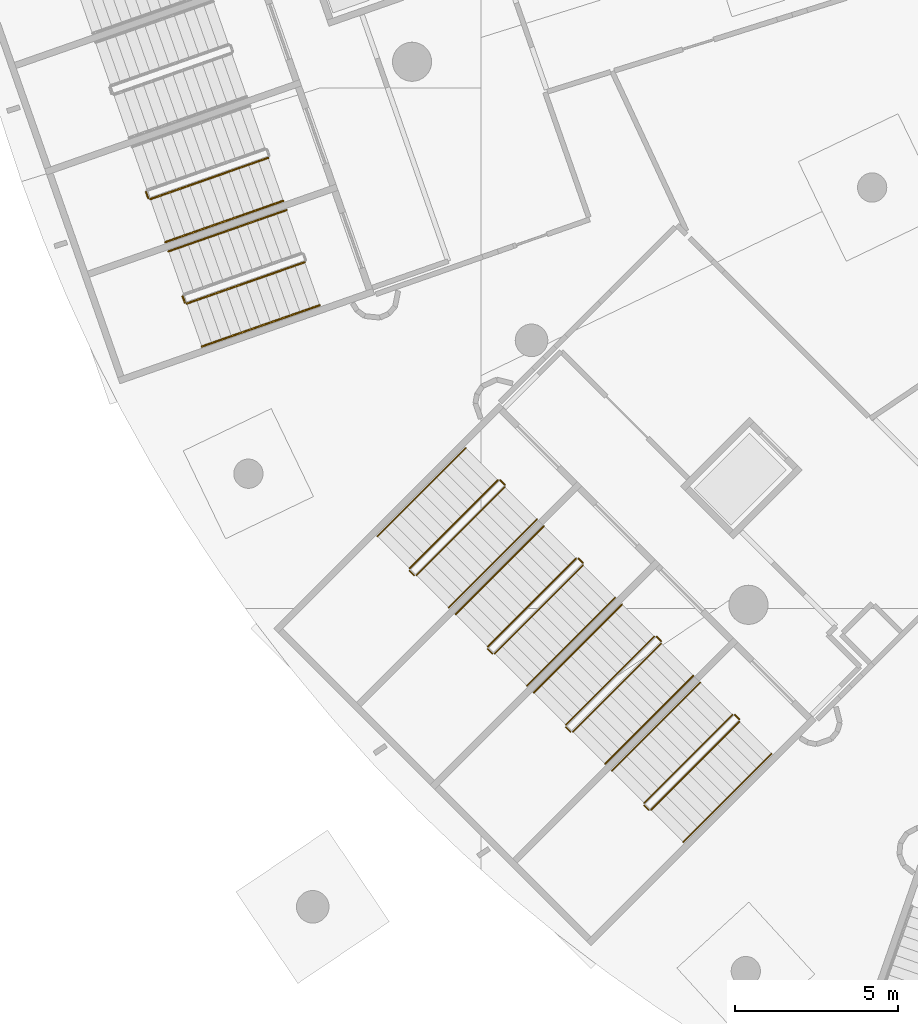
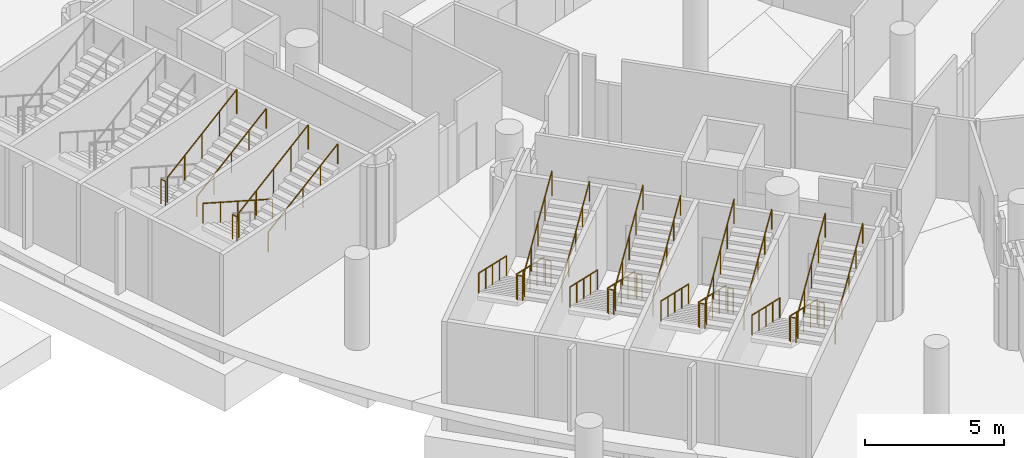
# One storey, part 109 of 142: 31 railings.
"""IFC4 building model written with IfcOpenShell, lengths in metres."""

from ifc_helpers import new_model, si_unit, direction, frame, origin, origin_2d, place, context, subcontext, project, spatial, circle, extrude, material, type_object, element, save


model = new_model("IFC4")

# Units and contexts
model_context = context("Model", 3, precision=1e-05, world=origin(), true_north=direction((0.0, 1.0)))
body_context = subcontext(model_context, "Body", "Model", "MODEL_VIEW")
ifc_project = project(units=[si_unit("LENGTHUNIT", "METRE"), si_unit("AREAUNIT", "SQUARE_METRE"), si_unit("VOLUMEUNIT", "CUBIC_METRE"), si_unit("PLANEANGLEUNIT", "RADIAN"), si_unit("MASSUNIT", "GRAM", prefix="KILO")], contexts=[model_context])

# Site, building, storey
site_placement = place(None, origin())
site = spatial("IfcSite", under=ifc_project, at=site_placement, CompositionType="ELEMENT")
building_placement = place(site_placement, origin())
building = spatial("IfcBuilding", under=site, at=building_placement, Name="Meseta Stadium", CompositionType="ELEMENT")
storey_placement = place(building_placement, frame((0.0, 0.0, -4.0)))
storey = spatial("IfcBuildingStorey", under=building, at=storey_placement, Name="B1", CompositionType="ELEMENT", Elevation=-4.0)

# Railings
ifc_material_1 = material(Name="Steel S355", Category="steel")
railing_type_1 = type_object("IfcRailingType", Name="Stair guard 1100", PredefinedType="GUARDRAIL", material=ifc_material_1)
railing_1_placement = place(storey_placement, frame((-90.296630859375, -67.195068359375, 2.0)))
element("IfcRailing", 1, at=railing_1_placement, inside=storey, type_object=railing_type_1, Name="ST79 B1 guard 2", PredefinedType="GUARDRAIL", context=body_context, shape_type="SweptSolid", body=[
    extrude(circle(Radius=0.02392578125, at=origin_2d()), frame((0.0, 0.0, 1.076171875), z_axis=(0.330459055601, -0.943820328543, 0.0), x_axis=(0.943820328543, 0.330459055601, 0.0)), (0.0, 0.0, 1.0), 0.2001953125),
    extrude(circle(Radius=0.02099609375, at=origin_2d()), origin(), (0.0, 0.0, 1.0), 1.052001953125),
    extrude(circle(Radius=0.02099609375, at=origin_2d()), frame((0.066162109375, -0.18896484375, 0.0)), (0.0, 0.0, 1.0), 1.052001953125),
])
railing_2_placement = place(storey_placement, frame((-90.166748046875, -67.41455078125, 2.15380859375)))
element("IfcRailing", 2, at=railing_2_placement, inside=storey, type_object=railing_type_1, Name="ST79 B1 guard 3", PredefinedType="GUARDRAIL", context=body_context, shape_type="SweptSolid", body=[
    extrude(circle(Radius=0.02392578125, at=origin_2d()), frame((0.0, 0.0, 1.076171875), z_axis=(0.85067155836, 0.29767201574, 0.433300439467), x_axis=(-0.330288120323, 0.9438801606, 0.0)), (0.0, 0.0, 1.0), 4.2607421875),
    extrude(circle(Radius=0.02099609375, at=origin_2d()), origin(), (0.0, 0.0, 1.0), 1.052001953125),
    extrude(circle(Radius=0.02099609375, at=origin_2d()), frame((0.90625, 0.317138671875, 0.46142578125)), (0.0, 0.0, 1.0), 1.052001953125),
    extrude(circle(Radius=0.02099609375, at=origin_2d()), frame((1.812255859375, 0.63427734375, 0.923095703125)), (0.0, 0.0, 1.0), 1.052001953125),
    extrude(circle(Radius=0.02099609375, at=origin_2d()), frame((2.71826171875, 0.951171875, 1.384765625)), (0.0, 0.0, 1.0), 1.052001953125),
    extrude(circle(Radius=0.02099609375, at=origin_2d()), frame((3.62451171875, 1.268310546875, 1.84619140625)), (0.0, 0.0, 1.0), 1.052001953125),
])
railing_3_placement = place(storey_placement, frame((-89.173583984375, -70.404296875, 2.0)))
element("IfcRailing", 3, at=railing_3_placement, inside=storey, type_object=railing_type_1, Name="ST80 B1 guard 2", PredefinedType="GUARDRAIL", context=body_context, shape_type="SweptSolid", body=[
    extrude(circle(Radius=0.02392578125, at=origin_2d()), frame((0.0, 0.0, 1.076171875), z_axis=(0.329372156318, -0.944200181446, 0.0), x_axis=(0.944200181446, 0.329372156318, 0.0)), (0.0, 0.0, 1.0), 0.2001953125),
    extrude(circle(Radius=0.02099609375, at=origin_2d()), origin(), (0.0, 0.0, 1.0), 1.052001953125),
    extrude(circle(Radius=0.02099609375, at=origin_2d()), frame((0.06591796875, -0.18896484375, 0.0)), (0.0, 0.0, 1.0), 1.052001953125),
])
railing_4_placement = place(storey_placement, frame((-89.0439453125, -70.623779296875, 2.15380859375)))
element("IfcRailing", 4, at=railing_4_placement, inside=storey, type_object=railing_type_1, Name="ST80 B1 guard 3", PredefinedType="GUARDRAIL", context=body_context, shape_type="SweptSolid", body=[
    extrude(circle(Radius=0.02392578125, at=origin_2d()), frame((0.0, 0.0, 1.076171875), z_axis=(0.85067155836, 0.29767201574, 0.433300439467), x_axis=(-0.330288120323, 0.9438801606, 0.0)), (0.0, 0.0, 1.0), 4.2607421875),
    extrude(circle(Radius=0.02099609375, at=origin_2d()), origin(), (0.0, 0.0, 1.0), 1.052001953125),
    extrude(circle(Radius=0.02099609375, at=origin_2d()), frame((0.90625, 0.317138671875, 0.46142578125)), (0.0, 0.0, 1.0), 1.052001953125),
    extrude(circle(Radius=0.02099609375, at=origin_2d()), frame((1.812255859375, 0.63427734375, 0.923095703125)), (0.0, 0.0, 1.0), 1.052001953125),
    extrude(circle(Radius=0.02099609375, at=origin_2d()), frame((2.71826171875, 0.951171875, 1.384765625)), (0.0, 0.0, 1.0), 1.052001953125),
    extrude(circle(Radius=0.02099609375, at=origin_2d()), frame((3.62451171875, 1.268310546875, 1.84619140625)), (0.0, 0.0, 1.0), 1.052001953125),
])
railing_5_placement = place(storey_placement, frame((-79.4814453125, -76.056884765625, 0.15380859375)))
element("IfcRailing", 5, at=railing_5_placement, inside=storey, type_object=railing_type_1, Name="ST81 B1 guard 1", PredefinedType="GUARDRAIL", context=body_context, shape_type="SweptSolid", body=[
    extrude(circle(Radius=0.02392578125, at=origin_2d()), frame((0.0, 0.0, 1.076171875), z_axis=(-0.637281117052, -0.637281117052, 0.433296152414), x_axis=(0.707106781187, -0.707106781187, 0.0)), (0.0, 0.0, 1.0), 4.2607421875),
    extrude(circle(Radius=0.02099609375, at=origin_2d()), origin(), (0.0, 0.0, 1.0), 1.052001953125),
    extrude(circle(Radius=0.02099609375, at=origin_2d()), frame((-0.6787109375, -0.6787109375, 0.46142578125)), (0.0, 0.0, 1.0), 1.052001953125),
    extrude(circle(Radius=0.02099609375, at=origin_2d()), frame((-1.357666015625, -1.357666015625, 0.923095703125)), (0.0, 0.0, 1.0), 1.052001953125),
    extrude(circle(Radius=0.02099609375, at=origin_2d()), frame((-2.03662109375, -2.03662109375, 1.384765625)), (0.0, 0.0, 1.0), 1.052001953125),
    extrude(circle(Radius=0.02099609375, at=origin_2d()), frame((-2.71533203125, -2.71533203125, 1.84619140625)), (0.0, 0.0, 1.0), 1.052001953125),
])
railing_6_placement = place(storey_placement, frame((-82.19677734375, -78.8427734375, 2.0)))
element("IfcRailing", 6, at=railing_6_placement, inside=storey, type_object=railing_type_1, Name="ST81 B1 guard 2", PredefinedType="GUARDRAIL", context=body_context, shape_type="SweptSolid", body=[
    extrude(circle(Radius=0.02392578125, at=origin_2d()), frame((0.0, 0.0, 1.076171875), z_axis=(0.706496417452, -0.707716618519, 0.0), x_axis=(0.707716618519, 0.706496417452, 0.0)), (0.0, 0.0, 1.0), 0.2001953125),
    extrude(circle(Radius=0.02099609375, at=origin_2d()), origin(), (0.0, 0.0, 1.0), 1.052001953125),
    extrude(circle(Radius=0.02099609375, at=origin_2d()), frame((0.141357421875, -0.1416015625, 0.0)), (0.0, 0.0, 1.0), 1.052001953125),
])
railing_7_placement = place(storey_placement, frame((-81.984619140625, -78.984375, 2.15380859375)))
element("IfcRailing", 7, at=railing_7_placement, inside=storey, type_object=railing_type_1, Name="ST81 B1 guard 3", PredefinedType="GUARDRAIL", context=body_context, shape_type="SweptSolid", body=[
    extrude(circle(Radius=0.02392578125, at=origin_2d()), frame((0.0, 0.0, 1.076171875), z_axis=(0.637281117052, 0.637281117052, 0.433296152414), x_axis=(-0.707106781187, 0.707106781187, 0.0)), (0.0, 0.0, 1.0), 4.2607421875),
    extrude(circle(Radius=0.02099609375, at=origin_2d()), origin(), (0.0, 0.0, 1.0), 1.052001953125),
    extrude(circle(Radius=0.02099609375, at=origin_2d()), frame((0.6787109375, 0.6787109375, 0.46142578125)), (0.0, 0.0, 1.0), 1.052001953125),
    extrude(circle(Radius=0.02099609375, at=origin_2d()), frame((1.357666015625, 1.357666015625, 0.923095703125)), (0.0, 0.0, 1.0), 1.052001953125),
    extrude(circle(Radius=0.02099609375, at=origin_2d()), frame((2.03662109375, 2.03662109375, 1.384765625)), (0.0, 0.0, 1.0), 1.052001953125),
    extrude(circle(Radius=0.02099609375, at=origin_2d()), frame((2.71533203125, 2.71533203125, 1.84619140625)), (0.0, 0.0, 1.0), 1.052001953125),
])
railing_8_placement = place(storey_placement, frame((-79.410888671875, -76.056884765625, 0.0)))
element("IfcRailing", 8, at=railing_8_placement, inside=storey, type_object=railing_type_1, Name="ST81 B1 guard 4", PredefinedType="GUARDRAIL", context=body_context, shape_type="SweptSolid", body=[
    extrude(circle(Radius=0.02392578125, at=origin_2d()), frame((0.0, 0.0, 1.076171875), z_axis=(0.707716618519, -0.706496417452, 0.0), x_axis=(0.706496417452, 0.707716618519, 0.0)), (0.0, 0.0, 1.0), 0.2001953125),
    extrude(circle(Radius=0.02099609375, at=origin_2d()), origin(), (0.0, 0.0, 1.0), 1.052001953125),
    extrude(circle(Radius=0.02099609375, at=origin_2d()), frame((0.1416015625, -0.141357421875, 0.0)), (0.0, 0.0, 1.0), 1.052001953125),
])
railing_9_placement = place(storey_placement, frame((-77.077392578125, -78.4609375, 0.15380859375)))
element("IfcRailing", 9, at=railing_9_placement, inside=storey, type_object=railing_type_1, Name="ST82 B1 guard 1", PredefinedType="GUARDRAIL", context=body_context, shape_type="SweptSolid", body=[
    extrude(circle(Radius=0.02392578125, at=origin_2d()), frame((0.0, 0.0, 1.076171875), z_axis=(-0.637281117052, -0.637281117052, 0.433296152414), x_axis=(0.707106781187, -0.707106781187, 0.0)), (0.0, 0.0, 1.0), 4.2607421875),
    extrude(circle(Radius=0.02099609375, at=origin_2d()), origin(), (0.0, 0.0, 1.0), 1.052001953125),
    extrude(circle(Radius=0.02099609375, at=origin_2d()), frame((-0.6787109375, -0.6787109375, 0.46142578125)), (0.0, 0.0, 1.0), 1.052001953125),
    extrude(circle(Radius=0.02099609375, at=origin_2d()), frame((-1.357666015625, -1.357666015625, 0.923095703125)), (0.0, 0.0, 1.0), 1.052001953125),
    extrude(circle(Radius=0.02099609375, at=origin_2d()), frame((-2.03662109375, -2.03662109375, 1.384765625)), (0.0, 0.0, 1.0), 1.052001953125),
    extrude(circle(Radius=0.02099609375, at=origin_2d()), frame((-2.71533203125, -2.71533203125, 1.84619140625)), (0.0, 0.0, 1.0), 1.052001953125),
])
railing_10_placement = place(storey_placement, frame((-79.792724609375, -81.2470703125, 2.0)))
element("IfcRailing", 10, at=railing_10_placement, inside=storey, type_object=railing_type_1, Name="ST82 B1 guard 2", PredefinedType="GUARDRAIL", context=body_context, shape_type="SweptSolid", body=[
    extrude(circle(Radius=0.02392578125, at=origin_2d()), frame((0.0, 0.0, 1.076171875), z_axis=(0.707716618519, -0.706496417452, 0.0), x_axis=(0.706496417452, 0.707716618519, 0.0)), (0.0, 0.0, 1.0), 0.2001953125),
    extrude(circle(Radius=0.02099609375, at=origin_2d()), origin(), (0.0, 0.0, 1.0), 1.052001953125),
    extrude(circle(Radius=0.02099609375, at=origin_2d()), frame((0.1416015625, -0.141357421875, 0.0)), (0.0, 0.0, 1.0), 1.052001953125),
])
railing_11_placement = place(storey_placement, frame((-79.58056640625, -81.388427734375, 2.15380859375)))
element("IfcRailing", 11, at=railing_11_placement, inside=storey, type_object=railing_type_1, Name="ST82 B1 guard 3", PredefinedType="GUARDRAIL", context=body_context, shape_type="SweptSolid", body=[
    extrude(circle(Radius=0.02392578125, at=origin_2d()), frame((0.0, 0.0, 1.076171875), z_axis=(0.637281117052, 0.637281117052, 0.433296152414), x_axis=(-0.707106781187, 0.707106781187, 0.0)), (0.0, 0.0, 1.0), 4.2607421875),
    extrude(circle(Radius=0.02099609375, at=origin_2d()), origin(), (0.0, 0.0, 1.0), 1.052001953125),
    extrude(circle(Radius=0.02099609375, at=origin_2d()), frame((0.6787109375, 0.6787109375, 0.46142578125)), (0.0, 0.0, 1.0), 1.052001953125),
    extrude(circle(Radius=0.02099609375, at=origin_2d()), frame((1.357666015625, 1.357666015625, 0.923095703125)), (0.0, 0.0, 1.0), 1.052001953125),
    extrude(circle(Radius=0.02099609375, at=origin_2d()), frame((2.03662109375, 2.03662109375, 1.384765625)), (0.0, 0.0, 1.0), 1.052001953125),
    extrude(circle(Radius=0.02099609375, at=origin_2d()), frame((2.71533203125, 2.71533203125, 1.84619140625)), (0.0, 0.0, 1.0), 1.052001953125),
])
railing_12_placement = place(storey_placement, frame((-77.006591796875, -78.4609375, 0.0)))
element("IfcRailing", 12, at=railing_12_placement, inside=storey, type_object=railing_type_1, Name="ST82 B1 guard 4", PredefinedType="GUARDRAIL", context=body_context, shape_type="SweptSolid", body=[
    extrude(circle(Radius=0.02392578125, at=origin_2d()), frame((0.0, 0.0, 1.076171875), z_axis=(0.706496417452, -0.707716618519, 0.0), x_axis=(0.707716618519, 0.706496417452, 0.0)), (0.0, 0.0, 1.0), 0.2001953125),
    extrude(circle(Radius=0.02099609375, at=origin_2d()), origin(), (0.0, 0.0, 1.0), 1.052001953125),
    extrude(circle(Radius=0.02099609375, at=origin_2d()), frame((0.141357421875, -0.1416015625, 0.0)), (0.0, 0.0, 1.0), 1.052001953125),
])
railing_13_placement = place(storey_placement, frame((-74.673095703125, -80.865234375, 0.15380859375)))
element("IfcRailing", 13, at=railing_13_placement, inside=storey, type_object=railing_type_1, Name="ST83 B1 guard 1", PredefinedType="GUARDRAIL", context=body_context, shape_type="SweptSolid", body=[
    extrude(circle(Radius=0.02392578125, at=origin_2d()), frame((0.0, 0.0, 1.076171875), z_axis=(-0.637281117052, -0.637281117052, 0.433296152414), x_axis=(0.707106781187, -0.707106781187, 0.0)), (0.0, 0.0, 1.0), 4.2607421875),
    extrude(circle(Radius=0.02099609375, at=origin_2d()), origin(), (0.0, 0.0, 1.0), 1.052001953125),
    extrude(circle(Radius=0.02099609375, at=origin_2d()), frame((-0.6787109375, -0.6787109375, 0.46142578125)), (0.0, 0.0, 1.0), 1.052001953125),
    extrude(circle(Radius=0.02099609375, at=origin_2d()), frame((-1.357666015625, -1.357666015625, 0.923095703125)), (0.0, 0.0, 1.0), 1.052001953125),
    extrude(circle(Radius=0.02099609375, at=origin_2d()), frame((-2.03662109375, -2.03662109375, 1.384765625)), (0.0, 0.0, 1.0), 1.052001953125),
    extrude(circle(Radius=0.02099609375, at=origin_2d()), frame((-2.71533203125, -2.71533203125, 1.84619140625)), (0.0, 0.0, 1.0), 1.052001953125),
])
railing_14_placement = place(storey_placement, frame((-77.388427734375, -83.651123046875, 2.0)))
element("IfcRailing", 14, at=railing_14_placement, inside=storey, type_object=railing_type_1, Name="ST83 B1 guard 2", PredefinedType="GUARDRAIL", context=body_context, shape_type="SweptSolid", body=[
    extrude(circle(Radius=0.02392578125, at=origin_2d()), frame((0.0, 0.0, 1.076171875), z_axis=(0.706496417452, -0.707716618519, 0.0), x_axis=(0.707716618519, 0.706496417452, 0.0)), (0.0, 0.0, 1.0), 0.2001953125),
    extrude(circle(Radius=0.02099609375, at=origin_2d()), origin(), (0.0, 0.0, 1.0), 1.052001953125),
    extrude(circle(Radius=0.02099609375, at=origin_2d()), frame((0.141357421875, -0.1416015625, 0.0)), (0.0, 0.0, 1.0), 1.052001953125),
])
railing_15_placement = place(storey_placement, frame((-77.17626953125, -83.792724609375, 2.15380859375)))
element("IfcRailing", 15, at=railing_15_placement, inside=storey, type_object=railing_type_1, Name="ST83 B1 guard 3", PredefinedType="GUARDRAIL", context=body_context, shape_type="SweptSolid", body=[
    extrude(circle(Radius=0.02392578125, at=origin_2d()), frame((0.0, 0.0, 1.076171875), z_axis=(0.637281117052, 0.637281117052, 0.433296152414), x_axis=(-0.707106781187, 0.707106781187, 0.0)), (0.0, 0.0, 1.0), 4.2607421875),
    extrude(circle(Radius=0.02099609375, at=origin_2d()), origin(), (0.0, 0.0, 1.0), 1.052001953125),
    extrude(circle(Radius=0.02099609375, at=origin_2d()), frame((0.6787109375, 0.6787109375, 0.46142578125)), (0.0, 0.0, 1.0), 1.052001953125),
    extrude(circle(Radius=0.02099609375, at=origin_2d()), frame((1.357666015625, 1.357666015625, 0.923095703125)), (0.0, 0.0, 1.0), 1.052001953125),
    extrude(circle(Radius=0.02099609375, at=origin_2d()), frame((2.03662109375, 2.03662109375, 1.384765625)), (0.0, 0.0, 1.0), 1.052001953125),
    extrude(circle(Radius=0.02099609375, at=origin_2d()), frame((2.71533203125, 2.71533203125, 1.84619140625)), (0.0, 0.0, 1.0), 1.052001953125),
])
railing_16_placement = place(storey_placement, frame((-74.6025390625, -80.865234375, 0.0)))
element("IfcRailing", 16, at=railing_16_placement, inside=storey, type_object=railing_type_1, Name="ST83 B1 guard 4", PredefinedType="GUARDRAIL", context=body_context, shape_type="SweptSolid", body=[
    extrude(circle(Radius=0.02392578125, at=origin_2d()), frame((0.0, 0.0, 1.076171875), z_axis=(0.707716618519, -0.706496417452, 0.0), x_axis=(0.706496417452, 0.707716618519, 0.0)), (0.0, 0.0, 1.0), 0.2001953125),
    extrude(circle(Radius=0.02099609375, at=origin_2d()), origin(), (0.0, 0.0, 1.0), 1.052001953125),
    extrude(circle(Radius=0.02099609375, at=origin_2d()), frame((0.1416015625, -0.141357421875, 0.0)), (0.0, 0.0, 1.0), 1.052001953125),
])
railing_17_placement = place(storey_placement, frame((-72.26904296875, -83.269287109375, 0.15380859375)))
element("IfcRailing", 17, at=railing_17_placement, inside=storey, type_object=railing_type_1, Name="ST84 B1 guard 1", PredefinedType="GUARDRAIL", context=body_context, shape_type="SweptSolid", body=[
    extrude(circle(Radius=0.02392578125, at=origin_2d()), frame((0.0, 0.0, 1.076171875), z_axis=(-0.637281117052, -0.637281117052, 0.433296152414), x_axis=(0.707106781187, -0.707106781187, 0.0)), (0.0, 0.0, 1.0), 4.2607421875),
    extrude(circle(Radius=0.02099609375, at=origin_2d()), origin(), (0.0, 0.0, 1.0), 1.052001953125),
    extrude(circle(Radius=0.02099609375, at=origin_2d()), frame((-0.6787109375, -0.6787109375, 0.46142578125)), (0.0, 0.0, 1.0), 1.052001953125),
    extrude(circle(Radius=0.02099609375, at=origin_2d()), frame((-1.357666015625, -1.357666015625, 0.923095703125)), (0.0, 0.0, 1.0), 1.052001953125),
    extrude(circle(Radius=0.02099609375, at=origin_2d()), frame((-2.03662109375, -2.03662109375, 1.384765625)), (0.0, 0.0, 1.0), 1.052001953125),
    extrude(circle(Radius=0.02099609375, at=origin_2d()), frame((-2.71533203125, -2.71533203125, 1.84619140625)), (0.0, 0.0, 1.0), 1.052001953125),
])
railing_18_placement = place(storey_placement, frame((-74.984375, -86.055419921875, 2.0)))
element("IfcRailing", 18, at=railing_18_placement, inside=storey, type_object=railing_type_1, Name="ST84 B1 guard 2", PredefinedType="GUARDRAIL", context=body_context, shape_type="SweptSolid", body=[
    extrude(circle(Radius=0.02392578125, at=origin_2d()), frame((0.0, 0.0, 1.076171875), z_axis=(0.707716618519, -0.706496417452, 0.0), x_axis=(0.706496417452, 0.707716618519, 0.0)), (0.0, 0.0, 1.0), 0.2001953125),
    extrude(circle(Radius=0.02099609375, at=origin_2d()), origin(), (0.0, 0.0, 1.0), 1.052001953125),
    extrude(circle(Radius=0.02099609375, at=origin_2d()), frame((0.1416015625, -0.141357421875, 0.0)), (0.0, 0.0, 1.0), 1.052001953125),
])
railing_19_placement = place(storey_placement, frame((-74.772216796875, -86.19677734375, 2.15380859375)))
element("IfcRailing", 19, at=railing_19_placement, inside=storey, type_object=railing_type_1, Name="ST84 B1 guard 3", PredefinedType="GUARDRAIL", context=body_context, shape_type="SweptSolid", body=[
    extrude(circle(Radius=0.02392578125, at=origin_2d()), frame((0.0, 0.0, 1.076171875), z_axis=(0.637281117052, 0.637281117052, 0.433296152414), x_axis=(-0.707106781187, 0.707106781187, 0.0)), (0.0, 0.0, 1.0), 4.2607421875),
    extrude(circle(Radius=0.02099609375, at=origin_2d()), origin(), (0.0, 0.0, 1.0), 1.052001953125),
    extrude(circle(Radius=0.02099609375, at=origin_2d()), frame((0.6787109375, 0.6787109375, 0.46142578125)), (0.0, 0.0, 1.0), 1.052001953125),
    extrude(circle(Radius=0.02099609375, at=origin_2d()), frame((1.357666015625, 1.357666015625, 0.923095703125)), (0.0, 0.0, 1.0), 1.052001953125),
    extrude(circle(Radius=0.02099609375, at=origin_2d()), frame((2.03662109375, 2.03662109375, 1.384765625)), (0.0, 0.0, 1.0), 1.052001953125),
    extrude(circle(Radius=0.02099609375, at=origin_2d()), frame((2.71533203125, 2.71533203125, 1.84619140625)), (0.0, 0.0, 1.0), 1.052001953125),
])
railing_20_placement = place(storey_placement, frame((-72.1982421875, -83.269287109375, 0.0)))
element("IfcRailing", 20, at=railing_20_placement, inside=storey, type_object=railing_type_1, Name="ST84 B1 guard 4", PredefinedType="GUARDRAIL", context=body_context, shape_type="SweptSolid", body=[
    extrude(circle(Radius=0.02392578125, at=origin_2d()), frame((0.0, 0.0, 1.076171875), z_axis=(0.706496417452, -0.707716618519, 0.0), x_axis=(0.707716618519, 0.706496417452, 0.0)), (0.0, 0.0, 1.0), 0.2001953125),
    extrude(circle(Radius=0.02099609375, at=origin_2d()), origin(), (0.0, 0.0, 1.0), 1.052001953125),
    extrude(circle(Radius=0.02099609375, at=origin_2d()), frame((0.141357421875, -0.1416015625, 0.0)), (0.0, 0.0, 1.0), 1.052001953125),
])
ifc_material_2 = material(Name="Steel S355", Category="steel")
railing_type_2 = type_object("IfcRailingType", Name="Stair handrail 900", PredefinedType="HANDRAIL", material=ifc_material_2)
railing_21_placement = place(storey_placement, frame((-89.704345703125, -68.736083984375, 2.15380859375)))
element("IfcRailing", 21, at=railing_21_placement, inside=storey, type_object=railing_type_2, Name="ST79 B1 handrail 2", PredefinedType="HANDRAIL", context=body_context, shape_type="SweptSolid", body=[
    extrude(circle(Radius=0.02392578125, at=origin_2d()), frame((0.0, 0.0, 0.8759765625), z_axis=(0.85067155836, 0.29767201574, 0.433300439467), x_axis=(-0.330288120323, 0.9438801606, 0.0)), (0.0, 0.0, 1.0), 4.2607421875),
    extrude(circle(Radius=0.02099609375, at=origin_2d()), origin(), (0.0, 0.0, 1.0), 0.851806640625),
    extrude(circle(Radius=0.02099609375, at=origin_2d()), frame((0.90625, 0.317138671875, 0.46142578125)), (0.0, 0.0, 1.0), 0.851806640625),
    extrude(circle(Radius=0.02099609375, at=origin_2d()), frame((1.812255859375, 0.63427734375, 0.923095703125)), (0.0, 0.0, 1.0), 0.851806640625),
    extrude(circle(Radius=0.02099609375, at=origin_2d()), frame((2.71826171875, 0.951171875, 1.384765625)), (0.0, 0.0, 1.0), 0.851806640625),
    extrude(circle(Radius=0.02099609375, at=origin_2d()), frame((3.62451171875, 1.268310546875, 1.84619140625)), (0.0, 0.0, 1.0), 0.851806640625),
])
railing_22_placement = place(storey_placement, frame((-85.980712890625, -67.7509765625, 0.15380859375)))
element("IfcRailing", 22, at=railing_22_placement, inside=storey, type_object=railing_type_2, Name="ST80 B1 handrail 1", PredefinedType="HANDRAIL", context=body_context, shape_type="SweptSolid", body=[
    extrude(circle(Radius=0.02392578125, at=origin_2d()), frame((0.0, 0.0, 0.8759765625), z_axis=(-0.85067155836, -0.29767201574, 0.433300439467), x_axis=(0.330288120323, -0.9438801606, 0.0)), (0.0, 0.0, 1.0), 4.2607421875),
    extrude(circle(Radius=0.02099609375, at=origin_2d()), origin(), (0.0, 0.0, 1.0), 0.851806640625),
    extrude(circle(Radius=0.02099609375, at=origin_2d()), frame((-0.90625, -0.317138671875, 0.46142578125)), (0.0, 0.0, 1.0), 0.851806640625),
    extrude(circle(Radius=0.02099609375, at=origin_2d()), frame((-1.812255859375, -0.63427734375, 0.923095703125)), (0.0, 0.0, 1.0), 0.851806640625),
    extrude(circle(Radius=0.02099609375, at=origin_2d()), frame((-2.71826171875, -0.951171875, 1.384765625)), (0.0, 0.0, 1.0), 0.851806640625),
    extrude(circle(Radius=0.02099609375, at=origin_2d()), frame((-3.62451171875, -1.268310546875, 1.84619140625)), (0.0, 0.0, 1.0), 0.851806640625),
])
railing_23_placement = place(storey_placement, frame((-88.58154296875, -71.9453125, 2.15380859375)))
element("IfcRailing", 23, at=railing_23_placement, inside=storey, type_object=railing_type_2, Name="ST80 B1 handrail 2", PredefinedType="HANDRAIL", context=body_context, shape_type="SweptSolid", body=[
    extrude(circle(Radius=0.02392578125, at=origin_2d()), frame((0.0, 0.0, 0.8759765625), z_axis=(0.85067155836, 0.29767201574, 0.433300439467), x_axis=(-0.330288120323, 0.9438801606, 0.0)), (0.0, 0.0, 1.0), 4.2607421875),
    extrude(circle(Radius=0.02099609375, at=origin_2d()), origin(), (0.0, 0.0, 1.0), 0.851806640625),
    extrude(circle(Radius=0.02099609375, at=origin_2d()), frame((0.90625, 0.317138671875, 0.46142578125)), (0.0, 0.0, 1.0), 0.851806640625),
    extrude(circle(Radius=0.02099609375, at=origin_2d()), frame((1.812255859375, 0.63427734375, 0.923095703125)), (0.0, 0.0, 1.0), 0.851806640625),
    extrude(circle(Radius=0.02099609375, at=origin_2d()), frame((2.71826171875, 0.951171875, 1.384765625)), (0.0, 0.0, 1.0), 0.851806640625),
    extrude(circle(Radius=0.02099609375, at=origin_2d()), frame((3.62451171875, 1.268310546875, 1.84619140625)), (0.0, 0.0, 1.0), 0.851806640625),
])
railing_24_placement = place(storey_placement, frame((-80.471435546875, -75.06689453125, 0.15380859375)))
element("IfcRailing", 24, at=railing_24_placement, inside=storey, type_object=railing_type_2, Name="ST81 B1 handrail 1", PredefinedType="HANDRAIL", context=body_context, shape_type="SweptSolid", body=[
    extrude(circle(Radius=0.02392578125, at=origin_2d()), frame((0.0, 0.0, 0.8759765625), z_axis=(-0.637281117052, -0.637281117052, 0.433296152414), x_axis=(0.707106781187, -0.707106781187, 0.0)), (0.0, 0.0, 1.0), 4.2607421875),
    extrude(circle(Radius=0.02099609375, at=origin_2d()), origin(), (0.0, 0.0, 1.0), 0.851806640625),
    extrude(circle(Radius=0.02099609375, at=origin_2d()), frame((-0.6787109375, -0.6787109375, 0.46142578125)), (0.0, 0.0, 1.0), 0.851806640625),
    extrude(circle(Radius=0.02099609375, at=origin_2d()), frame((-1.357666015625, -1.357666015625, 0.923095703125)), (0.0, 0.0, 1.0), 0.851806640625),
    extrude(circle(Radius=0.02099609375, at=origin_2d()), frame((-2.03662109375, -2.03662109375, 1.384765625)), (0.0, 0.0, 1.0), 0.851806640625),
    extrude(circle(Radius=0.02099609375, at=origin_2d()), frame((-2.71533203125, -2.71533203125, 1.84619140625)), (0.0, 0.0, 1.0), 0.851806640625),
])
railing_25_placement = place(storey_placement, frame((-80.99462890625, -79.974365234375, 2.15380859375)))
element("IfcRailing", 25, at=railing_25_placement, inside=storey, type_object=railing_type_2, Name="ST81 B1 handrail 2", PredefinedType="HANDRAIL", context=body_context, shape_type="SweptSolid", body=[
    extrude(circle(Radius=0.02392578125, at=origin_2d()), frame((0.0, 0.0, 0.8759765625), z_axis=(0.637247086785, 0.637304388024, 0.433311974666), x_axis=(-0.707138570553, 0.707074990391, 0.0)), (0.0, 0.0, 1.0), 4.2607421875),
    extrude(circle(Radius=0.02099609375, at=origin_2d()), origin(), (0.0, 0.0, 1.0), 0.851806640625),
    extrude(circle(Radius=0.02099609375, at=origin_2d()), frame((0.6787109375, 0.6787109375, 0.46142578125)), (0.0, 0.0, 1.0), 0.851806640625),
    extrude(circle(Radius=0.02099609375, at=origin_2d()), frame((1.357421875, 1.357666015625, 0.923095703125)), (0.0, 0.0, 1.0), 0.851806640625),
    extrude(circle(Radius=0.02099609375, at=origin_2d()), frame((2.036376953125, 2.03662109375, 1.384765625)), (0.0, 0.0, 1.0), 0.851806640625),
    extrude(circle(Radius=0.02099609375, at=origin_2d()), frame((2.715087890625, 2.71533203125, 1.84619140625)), (0.0, 0.0, 1.0), 0.851806640625),
])
railing_26_placement = place(storey_placement, frame((-78.0673828125, -77.47119140625, 0.15380859375)))
element("IfcRailing", 26, at=railing_26_placement, inside=storey, type_object=railing_type_2, Name="ST82 B1 handrail 1", PredefinedType="HANDRAIL", context=body_context, shape_type="SweptSolid", body=[
    extrude(circle(Radius=0.02392578125, at=origin_2d()), frame((0.0, 0.0, 0.8759765625), z_axis=(-0.637270358214, -0.637270358214, 0.433327798652), x_axis=(0.707106781187, -0.707106781187, 0.0)), (0.0, 0.0, 1.0), 4.260498046875),
    extrude(circle(Radius=0.02099609375, at=origin_2d()), origin(), (0.0, 0.0, 1.0), 0.851806640625),
    extrude(circle(Radius=0.02099609375, at=origin_2d()), frame((-0.6787109375, -0.6787109375, 0.46142578125)), (0.0, 0.0, 1.0), 0.851806640625),
    extrude(circle(Radius=0.02099609375, at=origin_2d()), frame((-1.357421875, -1.357421875, 0.923095703125)), (0.0, 0.0, 1.0), 0.851806640625),
    extrude(circle(Radius=0.02099609375, at=origin_2d()), frame((-2.036376953125, -2.036376953125, 1.384765625)), (0.0, 0.0, 1.0), 0.851806640625),
    extrude(circle(Radius=0.02099609375, at=origin_2d()), frame((-2.715087890625, -2.715087890625, 1.84619140625)), (0.0, 0.0, 1.0), 0.851806640625),
])
railing_27_placement = place(storey_placement, frame((-78.590576171875, -82.37841796875, 2.15380859375)))
element("IfcRailing", 27, at=railing_27_placement, inside=storey, type_object=railing_type_2, Name="ST82 B1 handrail 2", PredefinedType="HANDRAIL", context=body_context, shape_type="SweptSolid", body=[
    extrude(circle(Radius=0.02392578125, at=origin_2d()), frame((0.0, 0.0, 0.8759765625), z_axis=(0.637281117052, 0.637281117052, 0.433296152414), x_axis=(-0.707106781187, 0.707106781187, 0.0)), (0.0, 0.0, 1.0), 4.2607421875),
    extrude(circle(Radius=0.02099609375, at=origin_2d()), origin(), (0.0, 0.0, 1.0), 0.851806640625),
    extrude(circle(Radius=0.02099609375, at=origin_2d()), frame((0.6787109375, 0.6787109375, 0.46142578125)), (0.0, 0.0, 1.0), 0.851806640625),
    extrude(circle(Radius=0.02099609375, at=origin_2d()), frame((1.357666015625, 1.357666015625, 0.923095703125)), (0.0, 0.0, 1.0), 0.851806640625),
    extrude(circle(Radius=0.02099609375, at=origin_2d()), frame((2.03662109375, 2.03662109375, 1.384765625)), (0.0, 0.0, 1.0), 0.851806640625),
    extrude(circle(Radius=0.02099609375, at=origin_2d()), frame((2.71533203125, 2.71533203125, 1.84619140625)), (0.0, 0.0, 1.0), 0.851806640625),
])
railing_28_placement = place(storey_placement, frame((-75.6630859375, -79.875244140625, 0.15380859375)))
element("IfcRailing", 28, at=railing_28_placement, inside=storey, type_object=railing_type_2, Name="ST83 B1 handrail 1", PredefinedType="HANDRAIL", context=body_context, shape_type="SweptSolid", body=[
    extrude(circle(Radius=0.02392578125, at=origin_2d()), frame((0.0, 0.0, 0.8759765625), z_axis=(-0.637281117052, -0.637281117052, 0.433296152414), x_axis=(0.707106781187, -0.707106781187, 0.0)), (0.0, 0.0, 1.0), 4.2607421875),
    extrude(circle(Radius=0.02099609375, at=origin_2d()), origin(), (0.0, 0.0, 1.0), 0.851806640625),
    extrude(circle(Radius=0.02099609375, at=origin_2d()), frame((-0.6787109375, -0.6787109375, 0.46142578125)), (0.0, 0.0, 1.0), 0.851806640625),
    extrude(circle(Radius=0.02099609375, at=origin_2d()), frame((-1.357666015625, -1.357666015625, 0.923095703125)), (0.0, 0.0, 1.0), 0.851806640625),
    extrude(circle(Radius=0.02099609375, at=origin_2d()), frame((-2.03662109375, -2.03662109375, 1.384765625)), (0.0, 0.0, 1.0), 0.851806640625),
    extrude(circle(Radius=0.02099609375, at=origin_2d()), frame((-2.71533203125, -2.71533203125, 1.84619140625)), (0.0, 0.0, 1.0), 0.851806640625),
])
railing_29_placement = place(storey_placement, frame((-76.186279296875, -84.782470703125, 2.15380859375)))
element("IfcRailing", 29, at=railing_29_placement, inside=storey, type_object=railing_type_2, Name="ST83 B1 handrail 2", PredefinedType="HANDRAIL", context=body_context, shape_type="SweptSolid", body=[
    extrude(circle(Radius=0.02392578125, at=origin_2d()), frame((0.0, 0.0, 0.8759765625), z_axis=(0.637270358214, 0.637270358214, 0.433327798652), x_axis=(-0.707106781187, 0.707106781187, 0.0)), (0.0, 0.0, 1.0), 4.260498046875),
    extrude(circle(Radius=0.02099609375, at=origin_2d()), origin(), (0.0, 0.0, 1.0), 0.851806640625),
    extrude(circle(Radius=0.02099609375, at=origin_2d()), frame((0.6787109375, 0.6787109375, 0.46142578125)), (0.0, 0.0, 1.0), 0.851806640625),
    extrude(circle(Radius=0.02099609375, at=origin_2d()), frame((1.357421875, 1.357421875, 0.923095703125)), (0.0, 0.0, 1.0), 0.851806640625),
    extrude(circle(Radius=0.02099609375, at=origin_2d()), frame((2.036376953125, 2.036376953125, 1.384765625)), (0.0, 0.0, 1.0), 0.851806640625),
    extrude(circle(Radius=0.02099609375, at=origin_2d()), frame((2.715087890625, 2.715087890625, 1.84619140625)), (0.0, 0.0, 1.0), 0.851806640625),
])
railing_30_placement = place(storey_placement, frame((-73.259033203125, -82.279541015625, 0.15380859375)))
element("IfcRailing", 30, at=railing_30_placement, inside=storey, type_object=railing_type_2, Name="ST84 B1 handrail 1", PredefinedType="HANDRAIL", context=body_context, shape_type="SweptSolid", body=[
    extrude(circle(Radius=0.02392578125, at=origin_2d()), frame((0.0, 0.0, 0.8759765625), z_axis=(-0.637304388024, -0.637247086785, 0.433311974666), x_axis=(0.707074990391, -0.707138570553, 0.0)), (0.0, 0.0, 1.0), 4.2607421875),
    extrude(circle(Radius=0.02099609375, at=origin_2d()), origin(), (0.0, 0.0, 1.0), 0.851806640625),
    extrude(circle(Radius=0.02099609375, at=origin_2d()), frame((-0.6787109375, -0.6787109375, 0.46142578125)), (0.0, 0.0, 1.0), 0.851806640625),
    extrude(circle(Radius=0.02099609375, at=origin_2d()), frame((-1.357666015625, -1.357421875, 0.923095703125)), (0.0, 0.0, 1.0), 0.851806640625),
    extrude(circle(Radius=0.02099609375, at=origin_2d()), frame((-2.03662109375, -2.036376953125, 1.384765625)), (0.0, 0.0, 1.0), 0.851806640625),
    extrude(circle(Radius=0.02099609375, at=origin_2d()), frame((-2.71533203125, -2.715087890625, 1.84619140625)), (0.0, 0.0, 1.0), 0.851806640625),
])
railing_31_placement = place(storey_placement, frame((-73.7822265625, -87.186767578125, 2.15380859375)))
element("IfcRailing", 31, at=railing_31_placement, inside=storey, type_object=railing_type_2, Name="ST84 B1 handrail 2", PredefinedType="HANDRAIL", context=body_context, shape_type="SweptSolid", body=[
    extrude(circle(Radius=0.02392578125, at=origin_2d()), frame((0.0, 0.0, 0.8759765625), z_axis=(0.637281117052, 0.637281117052, 0.433296152414), x_axis=(-0.707106781187, 0.707106781187, 0.0)), (0.0, 0.0, 1.0), 4.2607421875),
    extrude(circle(Radius=0.02099609375, at=origin_2d()), origin(), (0.0, 0.0, 1.0), 0.851806640625),
    extrude(circle(Radius=0.02099609375, at=origin_2d()), frame((0.6787109375, 0.6787109375, 0.46142578125)), (0.0, 0.0, 1.0), 0.851806640625),
    extrude(circle(Radius=0.02099609375, at=origin_2d()), frame((1.357666015625, 1.357666015625, 0.923095703125)), (0.0, 0.0, 1.0), 0.851806640625),
    extrude(circle(Radius=0.02099609375, at=origin_2d()), frame((2.03662109375, 2.03662109375, 1.384765625)), (0.0, 0.0, 1.0), 0.851806640625),
    extrude(circle(Radius=0.02099609375, at=origin_2d()), frame((2.71533203125, 2.71533203125, 1.84619140625)), (0.0, 0.0, 1.0), 0.851806640625),
])

save(model, "model.ifc")
